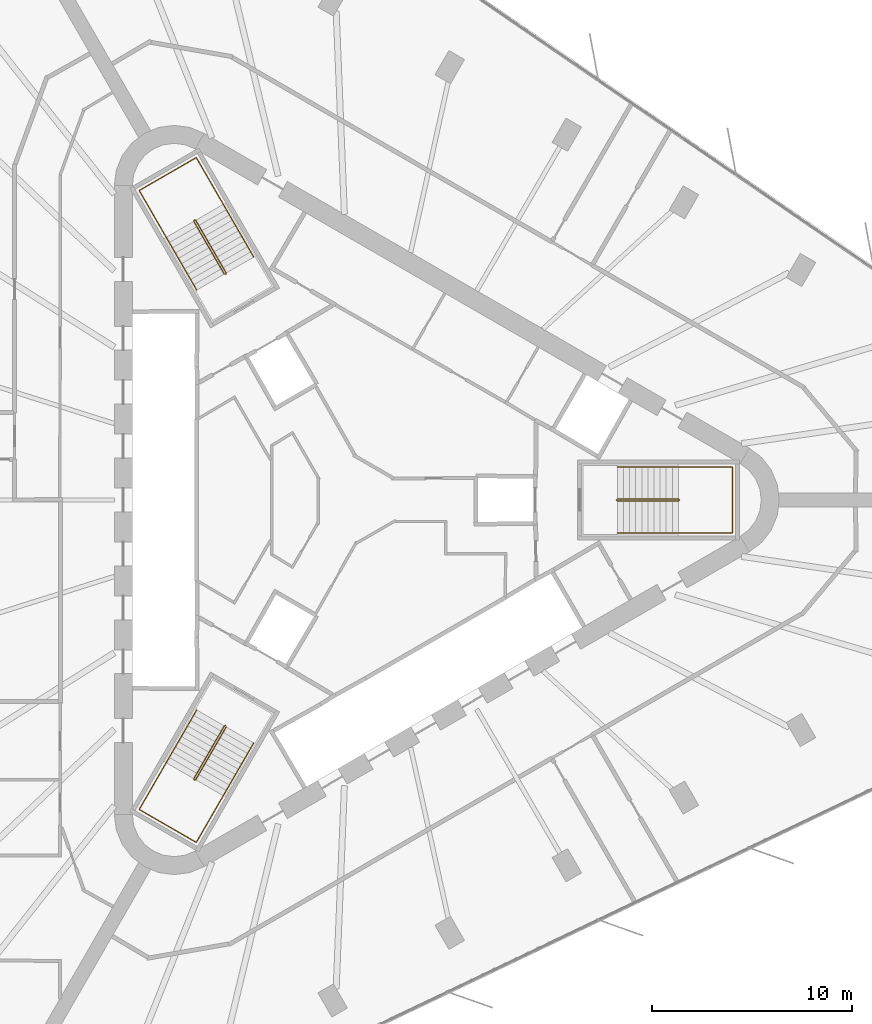
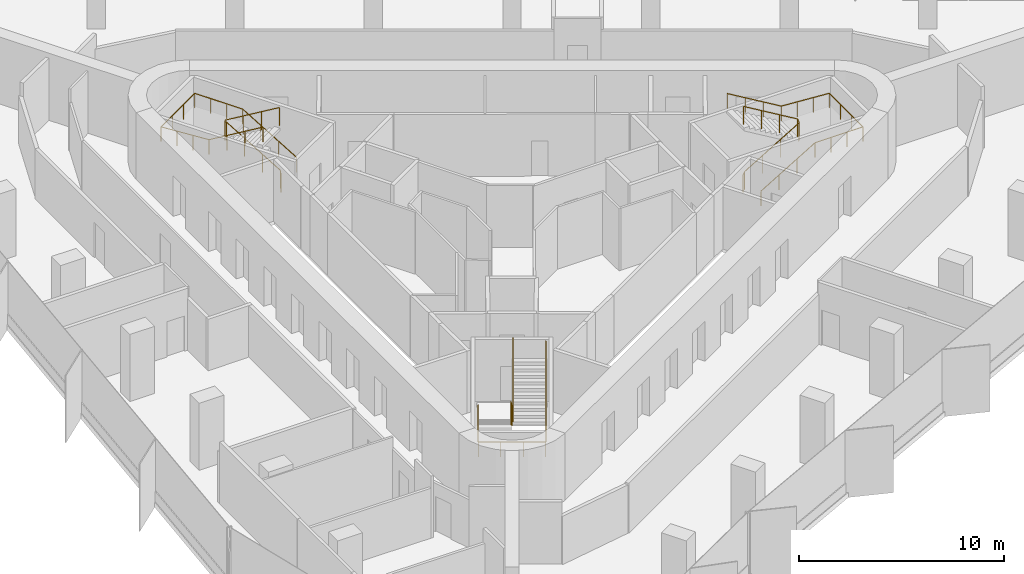
# One storey, part 13 of 13: 6 railings.
"""IFC4 building model written with IfcOpenShell, lengths in metres."""

from ifc_helpers import new_model, si_unit, direction, frame, origin, origin_2d, place, context, subcontext, project, spatial, circle, extrude, material, type_object, element, save


model = new_model("IFC4")

# Units and contexts
model_context = context("Model", 3, precision=1e-05, world=origin(), true_north=direction((0.0, 1.0)))
body_context = subcontext(model_context, "Body", "Model", "MODEL_VIEW")
ifc_project = project(units=[si_unit("LENGTHUNIT", "METRE"), si_unit("AREAUNIT", "SQUARE_METRE"), si_unit("VOLUMEUNIT", "CUBIC_METRE"), si_unit("PLANEANGLEUNIT", "RADIAN"), si_unit("MASSUNIT", "GRAM", prefix="KILO")], contexts=[model_context])

# Site, building, storey
site_placement = place(None, origin())
site = spatial("IfcSite", under=ifc_project, at=site_placement, CompositionType="ELEMENT")
building_placement = place(site_placement, origin())
building = spatial("IfcBuilding", under=site, at=building_placement, Name="Tanit Gate Tower", CompositionType="ELEMENT")
storey_placement = place(building_placement, frame((0.0, 0.0, 265.199951171875)))
storey = spatial("IfcBuildingStorey", under=building, at=storey_placement, Name="L60", CompositionType="ELEMENT", Elevation=265.199951171875)

# Railings
ifc_material_1 = material(Name="Stainless steel balustrade", Category="steel")
railing_type_1 = type_object("IfcRailingType", Name="INT-STAIR-GUARD", PredefinedType="GUARDRAIL", material=ifc_material_1)
railing_1_placement = place(storey_placement, frame((13.044921875, 0.0048828125, 0.0)))
element("IfcRailing", 1, at=railing_1_placement, inside=storey, type_object=railing_type_1, Name="L60 S1 stair guard 1", PredefinedType="GUARDRAIL", context=body_context, shape_type="SweptSolid", body=[
    extrude(circle(Radius=0.02392578125, at=origin_2d()), frame((0.0, 0.0, 1.076171875), z_axis=(0.0, -1.0, 0.0), x_axis=(1.0, 0.0, 0.0)), (0.0, 0.0, 1.0), 0.009765625),
    extrude(circle(Radius=0.02392578125, at=origin_2d()), frame((0.0, -0.009765625, 1.076171875), z_axis=(0.256435381639, -0.256435381639, 0.931923704005), x_axis=(0.707106781187, 0.707106781187, 0.0)), (0.0, 0.0, 1.0), 0.195068359375),
    extrude(circle(Radius=0.02392578125, at=origin_2d()), frame((0.050048828125, -0.059814453125, 1.2578125), z_axis=(0.859041732319, 0.0, 0.511905559781), x_axis=(0.0, 1.0, 0.0)), (0.0, 0.0, 1.0), 3.5517578125),
    extrude(circle(Radius=0.02392578125, at=origin_2d()), frame((3.10107421875, -0.059814453125, 3.076171875), z_axis=(0.707106781187, 0.707106781187, 0.0), x_axis=(-0.707106781187, 0.707106781187, 0.0)), (0.0, 0.0, 1.0), 0.07080078125),
    extrude(circle(Radius=0.02392578125, at=origin_2d()), frame((3.151123046875, -0.009765625, 3.076171875), z_axis=(0.0, 1.0, 0.0), x_axis=(-1.0, 0.0, 0.0)), (0.0, 0.0, 1.0), 0.009765625),
    extrude(circle(Radius=0.02392578125, at=origin_2d()), frame((3.151123046875, 0.0, 3.076171875), z_axis=(-0.256435381639, 0.256435381639, 0.931923704005), x_axis=(-0.707106781187, -0.707106781187, 0.0)), (0.0, 0.0, 1.0), 0.195068359375),
    extrude(circle(Radius=0.02392578125, at=origin_2d()), frame((3.10107421875, 0.050048828125, 3.2578125), z_axis=(-0.859041732319, 0.0, 0.511905559781), x_axis=(0.0, -1.0, 0.0)), (0.0, 0.0, 1.0), 3.5517578125),
    extrude(circle(Radius=0.02099609375, at=origin_2d()), origin(), (0.0, 0.0, 1.0), 1.052001953125),
    extrude(circle(Radius=0.02099609375, at=origin_2d()), frame((0.0, -0.009765625, 0.0)), (0.0, 0.0, 1.0), 1.052001953125),
    extrude(circle(Radius=0.02099609375, at=origin_2d()), frame((0.050048828125, -0.059814453125, 0.181884765625)), (0.0, 0.0, 1.0), 1.052001953125),
    extrude(circle(Radius=0.02099609375, at=origin_2d()), frame((1.067138671875, -0.059814453125, 0.787841796875)), (0.0, 0.0, 1.0), 1.052001953125),
    extrude(circle(Radius=0.02099609375, at=origin_2d()), frame((2.083984375, -0.059814453125, 1.39404296875)), (0.0, 0.0, 1.0), 1.052001953125),
    extrude(circle(Radius=0.02099609375, at=origin_2d()), frame((3.10107421875, -0.059814453125, 2.0)), (0.0, 0.0, 1.0), 1.052001953125),
    extrude(circle(Radius=0.02099609375, at=origin_2d()), frame((3.151123046875, -0.009765625, 2.0)), (0.0, 0.0, 1.0), 1.052001953125),
    extrude(circle(Radius=0.02099609375, at=origin_2d()), frame((3.151123046875, 0.0, 2.0)), (0.0, 0.0, 1.0), 1.052001953125),
    extrude(circle(Radius=0.02099609375, at=origin_2d()), frame((3.10107421875, 0.050048828125, 2.181884765625)), (0.0, 0.0, 1.0), 1.052001953125),
    extrude(circle(Radius=0.02099609375, at=origin_2d()), frame((2.083984375, 0.050048828125, 2.787841796875)), (0.0, 0.0, 1.0), 1.052001953125),
    extrude(circle(Radius=0.02099609375, at=origin_2d()), frame((1.067138671875, 0.050048828125, 3.39404296875)), (0.0, 0.0, 1.0), 1.052001953125),
    extrude(circle(Radius=0.02099609375, at=origin_2d()), frame((0.050048828125, 0.050048828125, 4.0)), (0.0, 0.0, 1.0), 1.052001953125),
])
railing_2_placement = place(storey_placement, frame((-6.527099609375, 11.29345703125, 0.0)))
element("IfcRailing", 2, at=railing_2_placement, inside=storey, type_object=railing_type_1, Name="L60 S2 stair guard 1", PredefinedType="GUARDRAIL", context=body_context, shape_type="SweptSolid", body=[
    extrude(circle(Radius=0.02392578125, at=origin_2d()), frame((0.0, 0.0, 1.076171875), z_axis=(0.868243142124, 0.496138938357, 0.0), x_axis=(-0.496138938357, 0.868243142124, 0.0)), (0.0, 0.0, 1.0), 0.01171875),
    extrude(circle(Radius=0.02392578125, at=origin_2d()), frame((0.01025390625, 0.005859375, 1.076171875), z_axis=(0.093819657636, 0.350260055175, 0.93194193252), x_axis=(-0.965948051503, 0.258736085224, 0.0)), (0.0, 0.0, 1.0), 0.195068359375),
    extrude(circle(Radius=0.02392578125, at=origin_2d()), frame((0.028564453125, 0.07421875, 1.2578125), z_axis=(-0.429472220917, 0.743822504634, 0.512134448226), x_axis=(-0.866012246495, -0.500022788402, 0.0)), (0.0, 0.0, 1.0), 3.550048828125),
    extrude(circle(Radius=0.02392578125, at=origin_2d()), frame((-1.49609375, 2.71484375, 3.076171875), z_axis=(-0.965715946433, 0.259601060869, 0.0), x_axis=(-0.259601060869, -0.965715946433, 0.0)), (0.0, 0.0, 1.0), 0.070556640625),
    extrude(circle(Radius=0.02392578125, at=origin_2d()), frame((-1.564208984375, 2.733154296875, 3.076171875), z_axis=(-0.873197702015, -0.487366159264, 0.0), x_axis=(0.487366159264, -0.873197702015, 0.0)), (0.0, 0.0, 1.0), 0.011962890625),
    extrude(circle(Radius=0.02392578125, at=origin_2d()), frame((-1.57470703125, 2.727294921875, 3.076171875), z_axis=(-0.093819657636, -0.350260055175, 0.93194193252), x_axis=(0.965948051503, -0.258736085224, 0.0)), (0.0, 0.0, 1.0), 0.195068359375),
    extrude(circle(Radius=0.02392578125, at=origin_2d()), frame((-1.593017578125, 2.658935546875, 3.2578125), z_axis=(0.429472220917, -0.743822504634, 0.512134448226), x_axis=(0.866012246495, 0.500022788402, 0.0)), (0.0, 0.0, 1.0), 3.550048828125),
    extrude(circle(Radius=0.02099609375, at=origin_2d()), origin(), (0.0, 0.0, 1.0), 1.052001953125),
    extrude(circle(Radius=0.02099609375, at=origin_2d()), frame((0.01025390625, 0.005859375, 0.0)), (0.0, 0.0, 1.0), 1.052001953125),
    extrude(circle(Radius=0.02099609375, at=origin_2d()), frame((0.028564453125, 0.07421875, 0.181884765625)), (0.0, 0.0, 1.0), 1.052001953125),
    extrude(circle(Radius=0.02099609375, at=origin_2d()), frame((-0.479736328125, 0.954345703125, 0.787841796875)), (0.0, 0.0, 1.0), 1.052001953125),
    extrude(circle(Radius=0.02099609375, at=origin_2d()), frame((-0.98779296875, 1.834716796875, 1.39404296875)), (0.0, 0.0, 1.0), 1.052001953125),
    extrude(circle(Radius=0.02099609375, at=origin_2d()), frame((-1.49609375, 2.71484375, 2.0)), (0.0, 0.0, 1.0), 1.052001953125),
    extrude(circle(Radius=0.02099609375, at=origin_2d()), frame((-1.564208984375, 2.733154296875, 2.0)), (0.0, 0.0, 1.0), 1.052001953125),
    extrude(circle(Radius=0.02099609375, at=origin_2d()), frame((-1.57470703125, 2.727294921875, 2.0)), (0.0, 0.0, 1.0), 1.052001953125),
    extrude(circle(Radius=0.02099609375, at=origin_2d()), frame((-1.593017578125, 2.658935546875, 2.181884765625)), (0.0, 0.0, 1.0), 1.052001953125),
    extrude(circle(Radius=0.02099609375, at=origin_2d()), frame((-1.084716796875, 1.77880859375, 2.787841796875)), (0.0, 0.0, 1.0), 1.052001953125),
    extrude(circle(Radius=0.02099609375, at=origin_2d()), frame((-0.57666015625, 0.8984375, 3.39404296875)), (0.0, 0.0, 1.0), 1.052001953125),
    extrude(circle(Radius=0.02099609375, at=origin_2d()), frame((-0.068359375, 0.018310546875, 4.0)), (0.0, 0.0, 1.0), 1.052001953125),
])
railing_3_placement = place(storey_placement, frame((-6.51806640625, -11.2998046875, 0.0)))
element("IfcRailing", 3, at=railing_3_placement, inside=storey, type_object=railing_type_1, Name="L60 S3 stair guard 1", PredefinedType="GUARDRAIL", context=body_context, shape_type="SweptSolid", body=[
    extrude(circle(Radius=0.02392578125, at=origin_2d()), frame((0.0, 0.0, 1.076171875), z_axis=(-0.874157276122, 0.485642931179, 0.0), x_axis=(-0.485642931179, -0.874157276122, 0.0)), (0.0, 0.0, 1.0), 0.010009765625),
    extrude(circle(Radius=0.02392578125, at=origin_2d()), frame((-0.0087890625, 0.0048828125, 1.076171875), z_axis=(-0.350300895388, -0.092579522353, 0.932050596658), x_axis=(0.255512919477, -0.966805641264, 0.0)), (0.0, 0.0, 1.0), 0.195068359375),
    extrude(circle(Radius=0.02392578125, at=origin_2d()), frame((-0.0771484375, -0.01318359375, 1.2578125), z_axis=(-0.429486674828, -0.743971555965, 0.511905772639), x_axis=(0.866048339477, -0.499960272111, 0.0)), (0.0, 0.0, 1.0), 3.5517578125),
    extrude(circle(Radius=0.02392578125, at=origin_2d()), frame((-1.6025390625, -2.655517578125, 3.076171875), z_axis=(0.258736085224, -0.965948051503, 0.0), x_axis=(0.965948051503, 0.258736085224, 0.0)), (0.0, 0.0, 1.0), 0.07080078125),
    extrude(circle(Radius=0.02392578125, at=origin_2d()), frame((-1.584228515625, -2.723876953125, 3.076171875), z_axis=(0.868243142124, -0.496138938357, 0.0), x_axis=(0.496138938357, 0.868243142124, 0.0)), (0.0, 0.0, 1.0), 0.009765625),
    extrude(circle(Radius=0.02392578125, at=origin_2d()), frame((-1.57568359375, -2.728759765625, 3.076171875), z_axis=(0.350260055175, 0.093819657636, 0.93194193252), x_axis=(-0.258736085224, 0.965948051503, 0.0)), (0.0, 0.0, 1.0), 0.195068359375),
    extrude(circle(Radius=0.02392578125, at=origin_2d()), frame((-1.50732421875, -2.71044921875, 3.2578125), z_axis=(0.429564698942, 0.743918894535, 0.511916836777), x_axis=(-0.865993683553, 0.500054937028, 0.0)), (0.0, 0.0, 1.0), 3.551513671875),
    extrude(circle(Radius=0.02099609375, at=origin_2d()), origin(), (0.0, 0.0, 1.0), 1.052001953125),
    extrude(circle(Radius=0.02099609375, at=origin_2d()), frame((-0.0087890625, 0.0048828125, 0.0)), (0.0, 0.0, 1.0), 1.052001953125),
    extrude(circle(Radius=0.02099609375, at=origin_2d()), frame((-0.0771484375, -0.01318359375, 0.181884765625)), (0.0, 0.0, 1.0), 1.052001953125),
    extrude(circle(Radius=0.02099609375, at=origin_2d()), frame((-0.585693359375, -0.89404296875, 0.787841796875)), (0.0, 0.0, 1.0), 1.052001953125),
    extrude(circle(Radius=0.02099609375, at=origin_2d()), frame((-1.093994140625, -1.774658203125, 1.39404296875)), (0.0, 0.0, 1.0), 1.052001953125),
    extrude(circle(Radius=0.02099609375, at=origin_2d()), frame((-1.6025390625, -2.655517578125, 2.0)), (0.0, 0.0, 1.0), 1.052001953125),
    extrude(circle(Radius=0.02099609375, at=origin_2d()), frame((-1.584228515625, -2.723876953125, 2.0)), (0.0, 0.0, 1.0), 1.052001953125),
    extrude(circle(Radius=0.02099609375, at=origin_2d()), frame((-1.57568359375, -2.728759765625, 2.0)), (0.0, 0.0, 1.0), 1.052001953125),
    extrude(circle(Radius=0.02099609375, at=origin_2d()), frame((-1.50732421875, -2.71044921875, 2.181884765625)), (0.0, 0.0, 1.0), 1.052001953125),
    extrude(circle(Radius=0.02099609375, at=origin_2d()), frame((-0.998779296875, -1.829833984375, 2.787841796875)), (0.0, 0.0, 1.0), 1.052001953125),
    extrude(circle(Radius=0.02099609375, at=origin_2d()), frame((-0.490234375, -0.948974609375, 3.39404296875)), (0.0, 0.0, 1.0), 1.052001953125),
    extrude(circle(Radius=0.02099609375, at=origin_2d()), frame((0.018310546875, -0.068359375, 4.0)), (0.0, 0.0, 1.0), 1.052001953125),
])
ifc_material_2 = material(Name="Stainless steel handrail", Category="steel")
railing_type_2 = type_object("IfcRailingType", Name="INT-STAIR-HANDRAIL", PredefinedType="HANDRAIL", material=ifc_material_2)
railing_4_placement = place(storey_placement, frame((13.094970703125, -1.64990234375, 0.181884765625)))
element("IfcRailing", 4, at=railing_4_placement, inside=storey, type_object=railing_type_2, Name="L60 S1 stair handrail 1", PredefinedType="HANDRAIL", context=body_context, shape_type="SweptSolid", body=[
    extrude(circle(Radius=0.02392578125, at=origin_2d()), frame((0.0, 0.0, 0.8759765625), z_axis=(0.859041732319, 0.0, 0.511905559781), x_axis=(0.0, 1.0, 0.0)), (0.0, 0.0, 1.0), 3.5517578125),
    extrude(circle(Radius=0.02392578125, at=origin_2d()), frame((3.051025390625, 0.0, 2.69384765625), z_axis=(1.0, 0.0, 0.0), x_axis=(0.0, 1.0, 0.0)), (0.0, 0.0, 1.0), 2.7041015625),
    extrude(circle(Radius=0.02392578125, at=origin_2d()), frame((5.755126953125, 0.0, 2.69384765625), z_axis=(0.0, 1.0, 0.0), x_axis=(-1.0, 0.0, 0.0)), (0.0, 0.0, 1.0), 3.2998046875),
    extrude(circle(Radius=0.02392578125, at=origin_2d()), frame((5.755126953125, 3.2998046875, 2.69384765625), z_axis=(-0.997745521698, 0.0, 0.067110907698), x_axis=(0.0, -1.0, 0.0)), (0.0, 0.0, 1.0), 2.710205078125),
    extrude(circle(Radius=0.02392578125, at=origin_2d()), frame((3.051025390625, 3.2998046875, 2.8759765625), z_axis=(-0.859041732319, 0.0, 0.511905559781), x_axis=(0.0, -1.0, 0.0)), (0.0, 0.0, 1.0), 3.5517578125),
    extrude(circle(Radius=0.02099609375, at=origin_2d()), origin(), (0.0, 0.0, 1.0), 0.851806640625),
    extrude(circle(Radius=0.02099609375, at=origin_2d()), frame((1.01708984375, 0.0, 0.60595703125)), (0.0, 0.0, 1.0), 0.851806640625),
    extrude(circle(Radius=0.02099609375, at=origin_2d()), frame((2.033935546875, 0.0, 1.212158203125)), (0.0, 0.0, 1.0), 0.851806640625),
    extrude(circle(Radius=0.02099609375, at=origin_2d()), frame((3.051025390625, 0.0, 1.818115234375)), (0.0, 0.0, 1.0), 0.851806640625),
    extrude(circle(Radius=0.02099609375, at=origin_2d()), frame((3.952392578125, 0.0, 1.818115234375)), (0.0, 0.0, 1.0), 0.851806640625),
    extrude(circle(Radius=0.02099609375, at=origin_2d()), frame((4.853759765625, 0.0, 1.818115234375)), (0.0, 0.0, 1.0), 0.851806640625),
    extrude(circle(Radius=0.02099609375, at=origin_2d()), frame((5.755126953125, 0.0, 1.818115234375)), (0.0, 0.0, 1.0), 0.851806640625),
    extrude(circle(Radius=0.02099609375, at=origin_2d()), frame((5.755126953125, 1.099853515625, 1.818115234375)), (0.0, 0.0, 1.0), 0.851806640625),
    extrude(circle(Radius=0.02099609375, at=origin_2d()), frame((5.755126953125, 2.199951171875, 1.818115234375)), (0.0, 0.0, 1.0), 0.851806640625),
    extrude(circle(Radius=0.02099609375, at=origin_2d()), frame((5.755126953125, 3.2998046875, 1.818115234375)), (0.0, 0.0, 1.0), 0.851806640625),
    extrude(circle(Radius=0.02099609375, at=origin_2d()), frame((4.853759765625, 3.2998046875, 1.878662109375)), (0.0, 0.0, 1.0), 0.851806640625),
    extrude(circle(Radius=0.02099609375, at=origin_2d()), frame((3.952392578125, 3.2998046875, 1.939453125)), (0.0, 0.0, 1.0), 0.851806640625),
    extrude(circle(Radius=0.02099609375, at=origin_2d()), frame((3.051025390625, 3.2998046875, 2.0)), (0.0, 0.0, 1.0), 0.851806640625),
    extrude(circle(Radius=0.02099609375, at=origin_2d()), frame((2.033935546875, 3.2998046875, 2.60595703125)), (0.0, 0.0, 1.0), 0.851806640625),
    extrude(circle(Radius=0.02099609375, at=origin_2d()), frame((1.01708984375, 3.2998046875, 3.212158203125)), (0.0, 0.0, 1.0), 0.851806640625),
    extrude(circle(Radius=0.02099609375, at=origin_2d()), frame((0.0, 3.2998046875, 3.818115234375)), (0.0, 0.0, 1.0), 0.851806640625),
])
railing_5_placement = place(storey_placement, frame((-5.1181640625, 12.164794921875, 0.181884765625)))
element("IfcRailing", 5, at=railing_5_placement, inside=storey, type_object=railing_type_2, Name="L60 S2 stair handrail 1", PredefinedType="HANDRAIL", context=body_context, shape_type="SweptSolid", body=[
    extrude(circle(Radius=0.02392578125, at=origin_2d()), frame((0.0, 0.0, 0.8759765625), z_axis=(-0.429416132344, 0.743844472684, 0.512149573602), x_axis=(-0.866046917185, -0.499962735845, 0.0)), (0.0, 0.0, 1.0), 3.550048828125),
    extrude(circle(Radius=0.02392578125, at=origin_2d()), frame((-1.5244140625, 2.640625, 2.69384765625), z_axis=(-0.500019123664, 0.86601436245, 0.0), x_axis=(-0.86601436245, -0.500019123664, 0.0)), (0.0, 0.0, 1.0), 2.70703125),
    extrude(circle(Radius=0.02392578125, at=origin_2d()), frame((-2.8779296875, 4.98486328125, 2.69384765625), z_axis=(-0.866008176907, -0.50002983664, 0.0), x_axis=(0.50002983664, -0.866008176907, 0.0)), (0.0, 0.0, 1.0), 3.300048828125),
    extrude(circle(Radius=0.02392578125, at=origin_2d()), frame((-5.73583984375, 3.334716796875, 2.69384765625), z_axis=(0.498932980467, -0.864043208057, 0.067046369128), x_axis=(0.865991810323, 0.500058181068, 0.0)), (0.0, 0.0, 1.0), 2.712890625),
    extrude(circle(Radius=0.02392578125, at=origin_2d()), frame((-4.38232421875, 0.99072265625, 2.8759765625), z_axis=(0.429450252752, -0.743853224023, 0.512108251761), x_axis=(0.866032263162, 0.499988119021, 0.0)), (0.0, 0.0, 1.0), 3.55029296875),
    extrude(circle(Radius=0.02099609375, at=origin_2d()), origin(), (0.0, 0.0, 1.0), 0.851806640625),
    extrude(circle(Radius=0.02099609375, at=origin_2d()), frame((-0.508056640625, 0.880126953125, 0.60595703125)), (0.0, 0.0, 1.0), 0.851806640625),
    extrude(circle(Radius=0.02099609375, at=origin_2d()), frame((-1.016357421875, 1.760498046875, 1.212158203125)), (0.0, 0.0, 1.0), 0.851806640625),
    extrude(circle(Radius=0.02099609375, at=origin_2d()), frame((-1.5244140625, 2.640625, 1.818115234375)), (0.0, 0.0, 1.0), 0.851806640625),
    extrude(circle(Radius=0.02099609375, at=origin_2d()), frame((-1.9755859375, 3.422119140625, 1.818115234375)), (0.0, 0.0, 1.0), 0.851806640625),
    extrude(circle(Radius=0.02099609375, at=origin_2d()), frame((-2.4267578125, 4.203369140625, 1.818115234375)), (0.0, 0.0, 1.0), 0.851806640625),
    extrude(circle(Radius=0.02099609375, at=origin_2d()), frame((-2.8779296875, 4.98486328125, 1.818115234375)), (0.0, 0.0, 1.0), 0.851806640625),
    extrude(circle(Radius=0.02099609375, at=origin_2d()), frame((-3.83056640625, 4.434814453125, 1.818115234375)), (0.0, 0.0, 1.0), 0.851806640625),
    extrude(circle(Radius=0.02099609375, at=origin_2d()), frame((-4.783203125, 3.884765625, 1.818115234375)), (0.0, 0.0, 1.0), 0.851806640625),
    extrude(circle(Radius=0.02099609375, at=origin_2d()), frame((-5.73583984375, 3.334716796875, 1.818115234375)), (0.0, 0.0, 1.0), 0.851806640625),
    extrude(circle(Radius=0.02099609375, at=origin_2d()), frame((-5.28466796875, 2.553466796875, 1.878662109375)), (0.0, 0.0, 1.0), 0.851806640625),
    extrude(circle(Radius=0.02099609375, at=origin_2d()), frame((-4.83349609375, 1.77197265625, 1.939453125)), (0.0, 0.0, 1.0), 0.851806640625),
    extrude(circle(Radius=0.02099609375, at=origin_2d()), frame((-4.38232421875, 0.99072265625, 2.0)), (0.0, 0.0, 1.0), 0.851806640625),
    extrude(circle(Radius=0.02099609375, at=origin_2d()), frame((-3.8740234375, 0.1103515625, 2.60595703125)), (0.0, 0.0, 1.0), 0.851806640625),
    extrude(circle(Radius=0.02099609375, at=origin_2d()), frame((-3.365966796875, -0.769775390625, 3.212158203125)), (0.0, 0.0, 1.0), 0.851806640625),
    extrude(circle(Radius=0.02099609375, at=origin_2d()), frame((-2.857666015625, -1.650146484375, 3.818115234375)), (0.0, 0.0, 1.0), 0.851806640625),
])
railing_6_placement = place(storey_placement, frame((-7.9765625, -10.515625, 0.181884765625)))
element("IfcRailing", 6, at=railing_6_placement, inside=storey, type_object=railing_type_2, Name="L60 S3 stair handrail 1", PredefinedType="HANDRAIL", context=body_context, shape_type="SweptSolid", body=[
    extrude(circle(Radius=0.02392578125, at=origin_2d()), frame((0.0, 0.0, 0.8759765625), z_axis=(-0.429486674828, -0.743971555965, 0.511905772639), x_axis=(0.866048339477, -0.499960272111, 0.0)), (0.0, 0.0, 1.0), 3.5517578125),
    extrude(circle(Radius=0.02392578125, at=origin_2d()), frame((-1.525390625, -2.642333984375, 2.69384765625), z_axis=(-0.50004290449, -0.866000631449, 0.0), x_axis=(0.866000631449, -0.50004290449, 0.0)), (0.0, 0.0, 1.0), 2.703857421875),
    extrude(circle(Radius=0.02392578125, at=origin_2d()), frame((-2.87744140625, -4.98388671875, 2.69384765625), z_axis=(0.866008176907, -0.50002983664, 0.0), x_axis=(0.50002983664, 0.866008176907, 0.0)), (0.0, 0.0, 1.0), 3.300048828125),
    extrude(circle(Radius=0.02392578125, at=origin_2d()), frame((-0.01953125, -6.634033203125, 2.69384765625), z_axis=(0.498876541924, 0.864070745781, 0.067111416348), x_axis=(-0.866023205937, 0.500003806764, 0.0)), (0.0, 0.0, 1.0), 2.710205078125),
    extrude(circle(Radius=0.02392578125, at=origin_2d()), frame((1.33251953125, -4.292236328125, 2.8759765625), z_axis=(0.429486674828, 0.743971555965, 0.511905772639), x_axis=(-0.866048339477, 0.499960272111, 0.0)), (0.0, 0.0, 1.0), 3.5517578125),
    extrude(circle(Radius=0.02099609375, at=origin_2d()), origin(), (0.0, 0.0, 1.0), 0.851806640625),
    extrude(circle(Radius=0.02099609375, at=origin_2d()), frame((-0.508544921875, -0.880859375, 0.60595703125)), (0.0, 0.0, 1.0), 0.851806640625),
    extrude(circle(Radius=0.02099609375, at=origin_2d()), frame((-1.016845703125, -1.761474609375, 1.212158203125)), (0.0, 0.0, 1.0), 0.851806640625),
    extrude(circle(Radius=0.02099609375, at=origin_2d()), frame((-1.525390625, -2.642333984375, 1.818115234375)), (0.0, 0.0, 1.0), 0.851806640625),
    extrude(circle(Radius=0.02099609375, at=origin_2d()), frame((-1.97607421875, -3.4228515625, 1.818115234375)), (0.0, 0.0, 1.0), 0.851806640625),
    extrude(circle(Radius=0.02099609375, at=origin_2d()), frame((-2.4267578125, -4.203369140625, 1.818115234375)), (0.0, 0.0, 1.0), 0.851806640625),
    extrude(circle(Radius=0.02099609375, at=origin_2d()), frame((-2.87744140625, -4.98388671875, 1.818115234375)), (0.0, 0.0, 1.0), 0.851806640625),
    extrude(circle(Radius=0.02099609375, at=origin_2d()), frame((-1.9248046875, -5.533935546875, 1.818115234375)), (0.0, 0.0, 1.0), 0.851806640625),
    extrude(circle(Radius=0.02099609375, at=origin_2d()), frame((-0.97216796875, -6.083984375, 1.818115234375)), (0.0, 0.0, 1.0), 0.851806640625),
    extrude(circle(Radius=0.02099609375, at=origin_2d()), frame((-0.01953125, -6.634033203125, 1.818115234375)), (0.0, 0.0, 1.0), 0.851806640625),
    extrude(circle(Radius=0.02099609375, at=origin_2d()), frame((0.43115234375, -5.853515625, 1.878662109375)), (0.0, 0.0, 1.0), 0.851806640625),
    extrude(circle(Radius=0.02099609375, at=origin_2d()), frame((0.8818359375, -5.07275390625, 1.939453125)), (0.0, 0.0, 1.0), 0.851806640625),
    extrude(circle(Radius=0.02099609375, at=origin_2d()), frame((1.33251953125, -4.292236328125, 2.0)), (0.0, 0.0, 1.0), 0.851806640625),
    extrude(circle(Radius=0.02099609375, at=origin_2d()), frame((1.841064453125, -3.411376953125, 2.60595703125)), (0.0, 0.0, 1.0), 0.851806640625),
    extrude(circle(Radius=0.02099609375, at=origin_2d()), frame((2.349365234375, -2.53076171875, 3.212158203125)), (0.0, 0.0, 1.0), 0.851806640625),
    extrude(circle(Radius=0.02099609375, at=origin_2d()), frame((2.85791015625, -1.64990234375, 3.818115234375)), (0.0, 0.0, 1.0), 0.851806640625),
])

save(model, "model.ifc")
